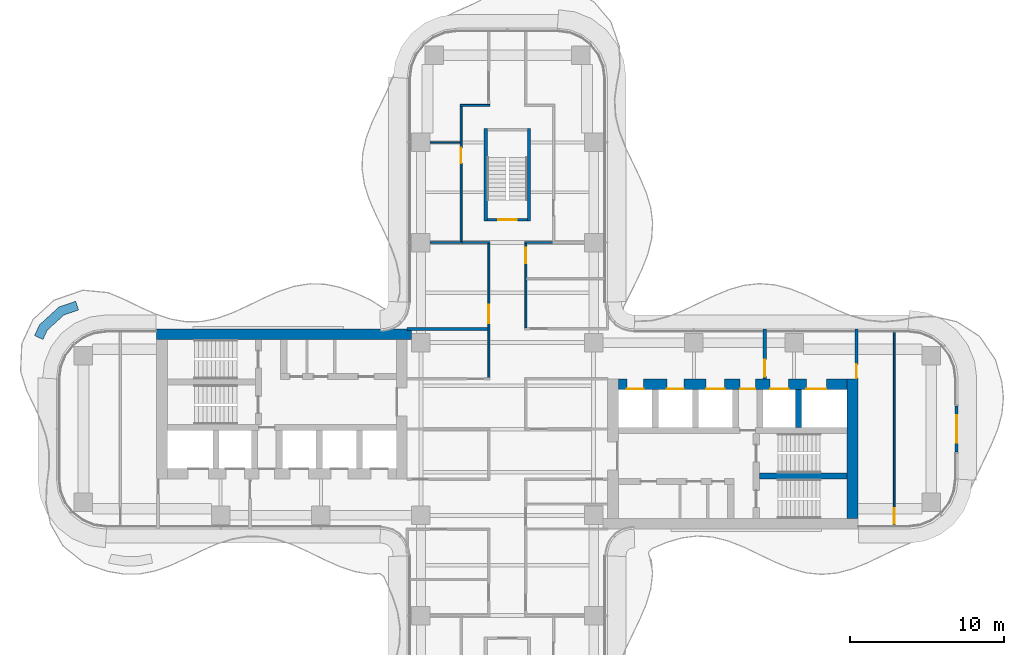
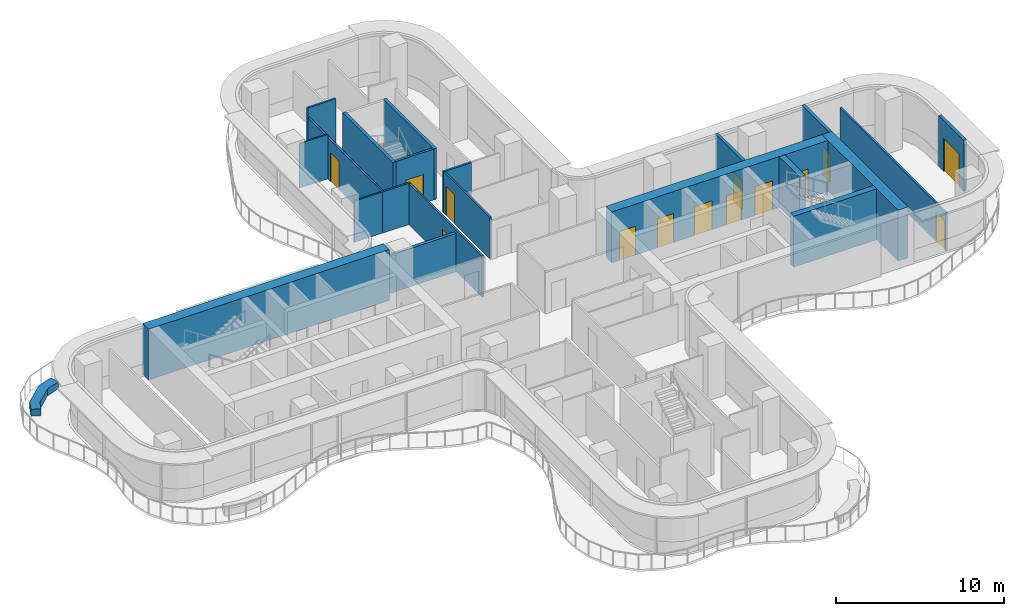
# One storey, part 14 of 17: 22 walls, 14 doors, 14 openings.
"""IFC4 building model written with IfcOpenShell, lengths in metres."""

from ifc_helpers import new_model, si_unit, direction, frame, frame_2d, origin, place, context, subcontext, project, spatial, polyline, rectangle, outline, extrude, source, transform, mapped, material, layer, layer_set, type_object, element, fill, save


model = new_model("IFC4")

# Units and contexts
model_context = context("Model", 3, precision=1e-05, world=origin(), true_north=direction((0.0, 1.0)))
body_context = subcontext(model_context, "Body", "Model", "MODEL_VIEW")
ifc_project = project(units=[si_unit("LENGTHUNIT", "METRE"), si_unit("AREAUNIT", "SQUARE_METRE"), si_unit("VOLUMEUNIT", "CUBIC_METRE"), si_unit("PLANEANGLEUNIT", "RADIAN"), si_unit("MASSUNIT", "GRAM", prefix="KILO")], contexts=[model_context])

# Site, building, storey
site_placement = place(None, origin())
site = spatial("IfcSite", under=ifc_project, at=site_placement, CompositionType="ELEMENT")
building_placement = place(site_placement, origin())
building = spatial("IfcBuilding", under=site, at=building_placement, Name="Trellis Farm Tower", CompositionType="ELEMENT")
storey_placement = place(building_placement, frame((0.0, 0.0, 181.5)))
storey = spatial("IfcBuildingStorey", under=building, at=storey_placement, Name="L39", CompositionType="ELEMENT", Elevation=181.5)

# Walls
ifc_material_1 = material(Name="Sandstone faced masonry planter", Category="masonry")
ifc_layer_1 = layer(ifc_material_1, 0.60009765625)
ifc_layer_set_1 = layer_set([ifc_layer_1], Name="PLANTER BED 600")
wall_type_1 = type_object("IfcWallType", Name="PLANTER BED 600", PredefinedType="USERDEFINED", material=ifc_layer_set_1)
wall_1_placement = place(storey_placement, origin())
element("IfcWall", 1, at=wall_1_placement, inside=storey, type_object=wall_type_1, Name="PLANTER bed", ObjectType="PLANTER", PredefinedType="USERDEFINED", context=body_context, shape_type="SweptSolid", body=[
    extrude(outline(polyline([(-29.080810546875, 7.9208984375), (-28.003662109375, 8.288330078125), (-27.809814453125, 7.720458984375), (-28.768798828125, 7.393310546875), (-29.854248046875, 6.402587890625), (-30.123291015625, 5.810302734375), (-30.669677734375, 6.05859375), (-30.349609375, 6.762939453125), (-29.080810546875, 7.9208984375)])), origin(), (0.0, 0.0, 1.0), 0.5),
])
ifc_material_2 = material(Name="Concrete C70/85", Category="concrete")
ifc_layer_2 = layer(ifc_material_2, 0.699951171875)
ifc_layer_set_2 = layer_set([ifc_layer_2], Name="CORE OUTER WALL 700 CONCRETE C70/85")
wall_type_2 = type_object("IfcWallType", Name="CORE OUTER WALL 700 CONCRETE C70/85", PredefinedType="SHEAR", material=ifc_layer_set_2)
shared_shape_1 = source(origin(), body_context, "Body", "SweptSolid", [
    extrude(rectangle(XDim=9.050048828125, YDim=0.699951171875, at=frame_2d((4.52490234375, 0.0))), origin(), (0.0, 0.0, 1.0), 3.699951171875),
])
wall_2_placement = place(storey_placement, frame((22.39990234375, -5.800048828125, 0.0), z_axis=(0.0, 0.0, 1.0), x_axis=(0.0, 1.0, 0.0)))
element("IfcWall", 2, at=wall_2_placement, inside=storey, type_object=wall_type_2, Name="Core wall", PredefinedType="SHEAR", context=body_context, shape_type="MappedRepresentation", body=[
    mapped(shared_shape_1, transform((0.0, 0.0, 0.0))),
])
ifc_layer_3 = layer(ifc_material_2, 0.39990234375)
ifc_layer_set_3 = layer_set([ifc_layer_3], Name="CORE INNER WALL 400 CONCRETE C70/85")
wall_type_3 = type_object("IfcWallType", Name="CORE INNER WALL 400 CONCRETE C70/85", PredefinedType="SHEAR", material=ifc_layer_set_3)
shared_shape_2 = source(origin(), body_context, "Body", "SweptSolid", [
    extrude(rectangle(XDim=2.449951171875, YDim=0.39990234375, at=frame_2d((1.22509765625, 0.0))), origin(), (0.0, 0.0, 1.0), 3.699951171875),
])
wall_3_placement = place(storey_placement, frame((18.89990234375, 0.10009765625, 0.0), z_axis=(0.0, 0.0, 1.0), x_axis=(0.0, 1.0, 0.0)))
element("IfcWall", 3, at=wall_3_placement, inside=storey, type_object=wall_type_3, Name="Core wall", PredefinedType="SHEAR", context=body_context, shape_type="MappedRepresentation", body=[
    mapped(shared_shape_2, transform((0.0, 0.0, 0.0))),
])

# Wall, opening, door
ifc_material_3 = material(Name="Masonry blockwork", Category="masonry")
ifc_layer_4 = layer(ifc_material_3, 0.199951171875)
ifc_layer_set_4 = layer_set([ifc_layer_4], Name="FIRE LOBBY PARTITION 200 BLOCKWORK")
wall_type_4 = type_object("IfcWallType", Name="FIRE LOBBY PARTITION 200 BLOCKWORK", PredefinedType="PARTITIONING", material=ifc_layer_set_4)
shared_shape_3 = source(origin(), body_context, "Body", "SweptSolid", [
    extrude(rectangle(XDim=3.25, YDim=0.199951171875, at=frame_2d((1.625, 0.0))), origin(), (0.0, 0.0, 1.0), 3.699951171875),
])
wall_4_placement = place(storey_placement, frame((16.699951171875, 3.25, 0.0), z_axis=(0.0, 0.0, 1.0), x_axis=(0.0, 1.0, 0.0)))
wall_4 = element("IfcWall", 4, at=wall_4_placement, inside=storey, type_object=wall_type_4, Name="Fire-fighting lobby partition", PredefinedType="PARTITIONING", context=body_context, shape_type="MappedRepresentation", body=[
    mapped(shared_shape_3, transform((0.0, 0.0, 0.0))),
])
shared_shape_4 = source(origin(), body_context, "Body", "SweptSolid", [
    extrude(rectangle(XDim=1.10009765625, YDim=2.10009765625, at=frame_2d((0.550048828125, 1.050048828125))), frame((0.0, 0.110107421875, 0.0), z_axis=(0.0, -1.0, 0.0), x_axis=(1.0, 0.0, 0.0)), (0.0, 0.0, 1.0), 0.22021484375),
])
opening_1_placement = place(wall_4_placement, frame((0.14990234375, 0.0, 0.0)))
opening_1 = element("IfcOpeningElement", 5, at=opening_1_placement, cuts=wall_4, Name="Opening DC7", PredefinedType="OPENING", context=body_context, shape_type="MappedRepresentation", body=[
    mapped(shared_shape_4, transform((0.0, 0.0, 0.0))),
])
ifc_material_4 = material(Name="Steel", Category="steel")
door_type_1 = type_object("IfcDoorType", Name="CORE FIRE DOOR 1100 X 2100", OperationType="NOTDEFINED", PredefinedType="DOOR", material=ifc_material_4)
shared_shape_5 = source(origin(), body_context, "Body", "SweptSolid", [
    extrude(rectangle(XDim=1.10009765625, YDim=2.10009765625, at=frame_2d((0.550048828125, 1.050048828125))), frame((0.0, 0.02490234375, 0.0), z_axis=(0.0, -1.0, 0.0), x_axis=(1.0, 0.0, 0.0)), (0.0, 0.0, 1.0), 0.050048828125),
])
door_1_placement = place(opening_1_placement, origin())
door_1 = element("IfcDoor", 6, at=door_1_placement, inside=storey, type_object=door_type_1, Name="Core door", OperationType="SINGLE_SWING_RIGHT", OverallHeight=2.10009765625, OverallWidth=1.10009765625, PredefinedType="DOOR", context=body_context, shape_type="MappedRepresentation", body=[
    mapped(shared_shape_5, transform((0.0, 0.0, 0.0))),
])
fill(opening_1, door_1)

wall_5_placement = place(storey_placement, frame((22.64990234375, 3.25, 0.0), z_axis=(0.0, 0.0, 1.0), x_axis=(0.0, 1.0, 0.0)))
wall_5 = element("IfcWall", 7, at=wall_5_placement, inside=storey, type_object=wall_type_4, Name="Fire-fighting lobby partition", PredefinedType="PARTITIONING", context=body_context, shape_type="MappedRepresentation", body=[
    mapped(shared_shape_3, transform((0.0, 0.0, 0.0))),
])
shared_shape_6 = source(origin(), body_context, "Body", "SweptSolid", [
    extrude(rectangle(XDim=0.89990234375, YDim=2.10009765625, at=frame_2d((0.449951171875, 1.050048828125))), frame((0.0, 0.110107421875, 0.0), z_axis=(0.0, -1.0, 0.0), x_axis=(1.0, 0.0, 0.0)), (0.0, 0.0, 1.0), 0.22021484375),
])
opening_2_placement = place(wall_5_placement, frame((0.050048828125, 0.0, 0.0)))
opening_2 = element("IfcOpeningElement", 8, at=opening_2_placement, cuts=wall_5, Name="Opening DC8", PredefinedType="OPENING", context=body_context, shape_type="MappedRepresentation", body=[
    mapped(shared_shape_6, transform((0.0, 0.0, 0.0))),
])
door_type_2 = type_object("IfcDoorType", Name="CORE FIRE DOOR 900 X 2100", OperationType="NOTDEFINED", PredefinedType="DOOR", material=ifc_material_4)
shared_shape_7 = source(origin(), body_context, "Body", "SweptSolid", [
    extrude(rectangle(XDim=0.89990234375, YDim=2.10009765625, at=frame_2d((0.449951171875, 1.050048828125))), frame((0.0, 0.02490234375, 0.0), z_axis=(0.0, -1.0, 0.0), x_axis=(1.0, 0.0, 0.0)), (0.0, 0.0, 1.0), 0.050048828125),
])
door_2_placement = place(opening_2_placement, origin())
door_2 = element("IfcDoor", 9, at=door_2_placement, inside=storey, type_object=door_type_2, Name="Core door", OperationType="SINGLE_SWING_RIGHT", OverallHeight=2.10009765625, OverallWidth=0.89990234375, PredefinedType="DOOR", context=body_context, shape_type="MappedRepresentation", body=[
    mapped(shared_shape_7, transform((0.0, 0.0, 0.0))),
])
fill(opening_2, door_2)

# Wall
shared_shape_8 = source(origin(), body_context, "Body", "SweptSolid", [
    extrude(rectangle(XDim=16.550048828125, YDim=0.699951171875, at=frame_2d((8.27490234375, 0.0))), origin(), (0.0, 0.0, 1.0), 3.699951171875),
])
wall_6_placement = place(storey_placement, frame((-6.199951171875, 6.14990234375, 0.0), z_axis=(0.0, 0.0, 1.0), x_axis=(-1.0, 0.0, 0.0)))
element("IfcWall", 10, at=wall_6_placement, inside=storey, type_object=wall_type_2, Name="Core wall", PredefinedType="SHEAR", context=body_context, shape_type="MappedRepresentation", body=[
    mapped(shared_shape_8, transform((0.0, 0.0, 0.0))),
])

# Wall, openings, doors
shared_shape_9 = source(origin(), body_context, "Body", "SweptSolid", [
    extrude(rectangle(XDim=14.85009765625, YDim=0.699951171875, at=frame_2d((7.425048828125, 0.0))), origin(), (0.0, 0.0, 1.0), 3.699951171875),
])
wall_7_placement = place(storey_placement, frame((7.199951171875, 2.89990234375, 0.0), z_axis=(0.0, 0.0, 1.0), x_axis=(1.0, 0.0, 0.0)))
wall_7 = element("IfcWall", 11, at=wall_7_placement, inside=storey, type_object=wall_type_2, Name="Core wall", PredefinedType="SHEAR", context=body_context, shape_type="MappedRepresentation", body=[
    mapped(shared_shape_9, transform((0.0, 0.0, 0.0))),
])
shared_shape_10 = source(origin(), body_context, "Body", "SweptSolid", [
    extrude(rectangle(XDim=1.10009765625, YDim=2.10009765625, at=frame_2d((0.550048828125, 1.050048828125))), frame((0.0, 0.360107421875, 0.0), z_axis=(0.0, -1.0, 0.0), x_axis=(1.0, 0.0, 0.0)), (0.0, 0.0, 1.0), 0.72021484375),
])
opening_3_placement = place(wall_7_placement, frame((0.550048828125, 0.0, 0.0)))
opening_3 = element("IfcOpeningElement", 12, at=opening_3_placement, cuts=wall_7, Name="Opening LD4", PredefinedType="OPENING", context=body_context, shape_type="MappedRepresentation", body=[
    mapped(shared_shape_10, transform((0.0, 0.0, 0.0))),
])
opening_4_placement = place(wall_7_placement, frame((3.14990234375, 0.0, 0.0)))
opening_4 = element("IfcOpeningElement", 13, at=opening_4_placement, cuts=wall_7, Name="Opening LD5", PredefinedType="OPENING", context=body_context, shape_type="MappedRepresentation", body=[
    mapped(shared_shape_10, transform((0.0, 0.0, 0.0))),
])
shared_shape_11 = source(origin(), body_context, "Body", "SweptSolid", [
    extrude(rectangle(XDim=1.199951171875, YDim=2.10009765625, at=frame_2d((0.60009765625, 1.050048828125))), frame((0.0, 0.360107421875, 0.0), z_axis=(0.0, -1.0, 0.0), x_axis=(1.0, 0.0, 0.0)), (0.0, 0.0, 1.0), 0.72021484375),
])
opening_5_placement = place(wall_7_placement, frame((5.699951171875, 0.0, 0.0)))
opening_5 = element("IfcOpeningElement", 14, at=opening_5_placement, cuts=wall_7, Name="Opening LD6", PredefinedType="OPENING", context=body_context, shape_type="MappedRepresentation", body=[
    mapped(shared_shape_11, transform((0.0, 0.0, 0.0))),
])
shared_shape_12 = source(origin(), body_context, "Body", "SweptSolid", [
    extrude(rectangle(XDim=1.300048828125, YDim=2.10009765625, at=frame_2d((0.64990234375, 1.050048828125))), frame((0.0, 0.360107421875, 0.0), z_axis=(0.0, -1.0, 0.0), x_axis=(1.0, 0.0, 0.0)), (0.0, 0.0, 1.0), 0.72021484375),
])
opening_6_placement = place(wall_7_placement, frame((12.199951171875, 0.0, 0.0)))
opening_6 = element("IfcOpeningElement", 15, at=opening_6_placement, cuts=wall_7, Name="Opening LD7", PredefinedType="OPENING", context=body_context, shape_type="MappedRepresentation", body=[
    mapped(shared_shape_12, transform((0.0, 0.0, 0.0))),
])
opening_7_placement = place(wall_7_placement, frame((9.85009765625, 0.0, 0.0)))
opening_7 = element("IfcOpeningElement", 16, at=opening_7_placement, cuts=wall_7, Name="Opening LD8", PredefinedType="OPENING", context=body_context, shape_type="MappedRepresentation", body=[
    mapped(shared_shape_11, transform((0.0, 0.0, 0.0))),
])
shared_shape_13 = source(origin(), body_context, "Body", "SweptSolid", [
    extrude(rectangle(XDim=1.0, YDim=2.10009765625, at=frame_2d((0.5, 1.050048828125))), frame((0.0, 0.360107421875, 0.0), z_axis=(0.0, -1.0, 0.0), x_axis=(1.0, 0.0, 0.0)), (0.0, 0.0, 1.0), 0.72021484375),
])
opening_8_placement = place(wall_7_placement, frame((7.89990234375, 0.0, 0.0)))
opening_8 = element("IfcOpeningElement", 17, at=opening_8_placement, cuts=wall_7, Name="Opening DC6", PredefinedType="OPENING", context=body_context, shape_type="MappedRepresentation", body=[
    mapped(shared_shape_13, transform((0.0, 0.0, 0.0))),
])
door_type_3 = type_object("IfcDoorType", Name="CORE FIRE DOOR 1000 X 2100", OperationType="NOTDEFINED", PredefinedType="DOOR", material=ifc_material_4)
shared_shape_14 = source(origin(), body_context, "Body", "SweptSolid", [
    extrude(rectangle(XDim=1.0, YDim=2.10009765625, at=frame_2d((0.5, 1.050048828125))), frame((0.0, -0.27490234375, 0.0), z_axis=(0.0, -1.0, 0.0), x_axis=(1.0, 0.0, 0.0)), (0.0, 0.0, 1.0), 0.050048828125),
])
door_3_placement = place(opening_8_placement, origin())
door_3 = element("IfcDoor", 18, at=door_3_placement, inside=storey, type_object=door_type_3, Name="Core door", OperationType="SINGLE_SWING_LEFT", OverallHeight=2.10009765625, OverallWidth=1.0, PredefinedType="DOOR", context=body_context, shape_type="MappedRepresentation", body=[
    mapped(shared_shape_14, transform((0.0, 0.0, 0.0))),
])
fill(opening_8, door_3)
ifc_material_5 = material(Name="Stainless steel", Category="steel")
door_type_4 = type_object("IfcDoorType", Name="LIFT LANDING DOOR 1300 X 2100", OperationType="DOUBLE_DOOR_SLIDING", PredefinedType="DOOR", material=ifc_material_5)
shared_shape_15 = source(origin(), body_context, "Body", "SweptSolid", [
    extrude(rectangle(XDim=1.300048828125, YDim=2.10009765625, at=frame_2d((0.64990234375, 1.050048828125))), frame((0.0, -0.27490234375, 0.0), z_axis=(0.0, -1.0, 0.0), x_axis=(1.0, 0.0, 0.0)), (0.0, 0.0, 1.0), 0.050048828125),
])
door_4_placement = place(opening_6_placement, origin())
door_4 = element("IfcDoor", 19, at=door_4_placement, inside=storey, type_object=door_type_4, Name="Lift landing door", OperationType="DOUBLE_DOOR_SLIDING", OverallHeight=2.10009765625, OverallWidth=1.300048828125, PredefinedType="DOOR", context=body_context, shape_type="MappedRepresentation", body=[
    mapped(shared_shape_15, transform((0.0, 0.0, 0.0))),
])
fill(opening_6, door_4)
door_type_5 = type_object("IfcDoorType", Name="LIFT LANDING DOOR 1200 X 2100", OperationType="DOUBLE_DOOR_SLIDING", PredefinedType="DOOR", material=ifc_material_5)
shared_shape_16 = source(origin(), body_context, "Body", "SweptSolid", [
    extrude(rectangle(XDim=1.199951171875, YDim=2.10009765625, at=frame_2d((0.60009765625, 1.050048828125))), frame((0.0, -0.27490234375, 0.0), z_axis=(0.0, -1.0, 0.0), x_axis=(1.0, 0.0, 0.0)), (0.0, 0.0, 1.0), 0.050048828125),
])
door_5_placement = place(opening_5_placement, origin())
door_5 = element("IfcDoor", 20, at=door_5_placement, inside=storey, type_object=door_type_5, Name="Lift landing door", OperationType="DOUBLE_DOOR_SLIDING", OverallHeight=2.10009765625, OverallWidth=1.199951171875, PredefinedType="DOOR", context=body_context, shape_type="MappedRepresentation", body=[
    mapped(shared_shape_16, transform((0.0, 0.0, 0.0))),
])
fill(opening_5, door_5)
door_6_placement = place(opening_7_placement, origin())
door_6 = element("IfcDoor", 21, at=door_6_placement, inside=storey, type_object=door_type_5, Name="Lift landing door", OperationType="DOUBLE_DOOR_SLIDING", OverallHeight=2.10009765625, OverallWidth=1.199951171875, PredefinedType="DOOR", context=body_context, shape_type="MappedRepresentation", body=[
    mapped(shared_shape_16, transform((0.0, 0.0, 0.0))),
])
fill(opening_7, door_6)
door_type_6 = type_object("IfcDoorType", Name="LIFT LANDING DOOR 1100 X 2100", OperationType="DOUBLE_DOOR_SLIDING", PredefinedType="DOOR", material=ifc_material_5)
shared_shape_17 = source(origin(), body_context, "Body", "SweptSolid", [
    extrude(rectangle(XDim=1.10009765625, YDim=2.10009765625, at=frame_2d((0.550048828125, 1.050048828125))), frame((0.0, -0.27490234375, 0.0), z_axis=(0.0, -1.0, 0.0), x_axis=(1.0, 0.0, 0.0)), (0.0, 0.0, 1.0), 0.050048828125),
])
door_7_placement = place(opening_3_placement, origin())
door_7 = element("IfcDoor", 22, at=door_7_placement, inside=storey, type_object=door_type_6, Name="Lift landing door", OperationType="DOUBLE_DOOR_SLIDING", OverallHeight=2.10009765625, OverallWidth=1.10009765625, PredefinedType="DOOR", context=body_context, shape_type="MappedRepresentation", body=[
    mapped(shared_shape_17, transform((0.0, 0.0, 0.0))),
])
fill(opening_3, door_7)
door_8_placement = place(opening_4_placement, origin())
door_8 = element("IfcDoor", 23, at=door_8_placement, inside=storey, type_object=door_type_6, Name="Lift landing door", OperationType="DOUBLE_DOOR_SLIDING", OverallHeight=2.10009765625, OverallWidth=1.10009765625, PredefinedType="DOOR", context=body_context, shape_type="MappedRepresentation", body=[
    mapped(shared_shape_17, transform((0.0, 0.0, 0.0))),
])
fill(opening_4, door_8)

# Walls
shared_shape_18 = source(origin(), body_context, "Body", "SweptSolid", [
    extrude(rectangle(XDim=5.699951171875, YDim=0.39990234375, at=frame_2d((2.85009765625, 0.0))), origin(), (0.0, 0.0, 1.0), 3.699951171875),
])
wall_8_placement = place(storey_placement, frame((16.35009765625, -3.050048828125, 0.0), z_axis=(0.0, 0.0, 1.0), x_axis=(1.0, 0.0, 0.0)))
element("IfcWall", 24, at=wall_8_placement, inside=storey, type_object=wall_type_3, Name="Core wall", PredefinedType="SHEAR", context=body_context, shape_type="MappedRepresentation", body=[
    mapped(shared_shape_18, transform((0.0, 0.0, 0.0))),
])
ifc_layer_5 = layer(ifc_material_2, 0.199951171875)
ifc_layer_set_5 = layer_set([ifc_layer_5], Name="CORE STAIR ENCLOSURE WALL 200 CONCRETE C70/85")
wall_type_5 = type_object("IfcWallType", Name="CORE STAIR ENCLOSURE WALL 200 CONCRETE C70/85", PredefinedType="SHEAR", material=ifc_layer_set_5)
shared_shape_19 = source(origin(), body_context, "Body", "SweptSolid", [
    extrude(rectangle(XDim=6.0, YDim=0.199951171875, at=frame_2d((3.0, 0.0))), origin(), (0.0, 0.0, 1.0), 3.699951171875),
])
for number, where, z_axis, x_axis, name in (
    (25, (-1.39990234375, 13.5, 0.0), (0.0, 0.0, 1.0), (0.0, 1.0, 0.0), "Stair enclosure wall"),
    (26, (1.39990234375, 13.5, 0.0), (0.0, 0.0, 1.0), (0.0, 1.0, 0.0), "Stair enclosure wall"),
):
    element("IfcWall", number, at=place(storey_placement, frame(where, z_axis=z_axis, x_axis=x_axis)), inside=storey, type_object=wall_type_5, Name=name, PredefinedType="SHEAR", context=body_context, shape_type="MappedRepresentation", body=[
        mapped(shared_shape_19, transform((0.0, 0.0, 0.0))),
    ])

# Wall, opening, door
ifc_layer_6 = layer(ifc_material_2, 0.14990234375)
ifc_layer_set_6 = layer_set([ifc_layer_6], Name="CORE STAIR ENCLOSURE WALL 150 CONCRETE C70/85")
wall_type_6 = type_object("IfcWallType", Name="CORE STAIR ENCLOSURE WALL 150 CONCRETE C70/85", PredefinedType="SHEAR", material=ifc_layer_set_6)
shared_shape_20 = source(origin(), body_context, "Body", "SweptSolid", [
    extrude(rectangle(XDim=2.60009765625, YDim=0.14990234375, at=frame_2d((1.300048828125, 0.0))), origin(), (0.0, 0.0, 1.0), 3.699951171875),
])
wall_9_placement = place(storey_placement, frame((-1.300048828125, 13.574951171875, 0.0), z_axis=(0.0, 0.0, 1.0), x_axis=(1.0, 0.0, 0.0)))
wall_9 = element("IfcWall", 27, at=wall_9_placement, inside=storey, type_object=wall_type_6, Name="Stair enclosure wall", PredefinedType="SHEAR", context=body_context, shape_type="MappedRepresentation", body=[
    mapped(shared_shape_20, transform((0.0, 0.0, 0.0))),
])
shared_shape_21 = source(origin(), body_context, "Body", "SweptSolid", [
    extrude(rectangle(XDim=1.199951171875, YDim=2.10009765625, at=frame_2d((0.60009765625, 1.050048828125))), frame((0.0, 0.0849609375, 0.0), z_axis=(0.0, -1.0, 0.0), x_axis=(1.0, 0.0, 0.0)), (0.0, 0.0, 1.0), 0.169921875),
])
opening_9_placement = place(wall_9_placement, frame((0.699951171875, 0.0, 0.0)))
opening_9 = element("IfcOpeningElement", 28, at=opening_9_placement, cuts=wall_9, Name="Opening DC173", PredefinedType="OPENING", context=body_context, shape_type="MappedRepresentation", body=[
    mapped(shared_shape_21, transform((0.0, 0.0, 0.0))),
])
door_type_7 = type_object("IfcDoorType", Name="CORE FIRE DOOR 1200 X 2100", OperationType="NOTDEFINED", PredefinedType="DOOR", material=ifc_material_4)
shared_shape_22 = source(origin(), body_context, "Body", "SweptSolid", [
    extrude(rectangle(XDim=1.199951171875, YDim=2.10009765625, at=frame_2d((0.60009765625, 1.050048828125))), frame((0.0, 0.02490234375, 0.0), z_axis=(0.0, -1.0, 0.0), x_axis=(1.0, 0.0, 0.0)), (0.0, 0.0, 1.0), 0.050048828125),
])
door_9_placement = place(opening_9_placement, origin())
door_9 = element("IfcDoor", 29, at=door_9_placement, inside=storey, type_object=door_type_7, Name="Core door", OperationType="SINGLE_SWING_LEFT", OverallHeight=2.10009765625, OverallWidth=1.199951171875, PredefinedType="DOOR", context=body_context, shape_type="MappedRepresentation", body=[
    mapped(shared_shape_22, transform((0.0, 0.0, 0.0))),
])
fill(opening_9, door_9)

ifc_material_6 = material(Name="Sandstone faced insulated wall", Category="masonry")
ifc_layer_7 = layer(ifc_material_6, 0.199951171875)
ifc_layer_set_7 = layer_set([ifc_layer_7], Name="EXTERNAL INFILL WALL 200")
wall_type_7 = type_object("IfcWallType", Name="EXTERNAL INFILL WALL 200", PredefinedType="SOLIDWALL", material=ifc_layer_set_7)
shared_shape_23 = source(origin(), body_context, "Body", "SweptSolid", [
    extrude(rectangle(XDim=3.0, YDim=0.199951171875, at=frame_2d((1.5, 0.0))), origin(), (0.0, 0.0, 1.0), 3.699951171875),
])
wall_10_placement = place(storey_placement, frame((29.14990234375, -1.5, 0.0), z_axis=(0.0, 0.0, 1.0), x_axis=(0.0, 1.0, 0.0)))
wall_10 = element("IfcWall", 30, at=wall_10_placement, inside=storey, type_object=wall_type_7, Name="EW1 01", PredefinedType="SOLIDWALL", context=body_context, shape_type="MappedRepresentation", body=[
    mapped(shared_shape_23, transform((0.0, 0.0, 0.0))),
])
shared_shape_24 = source(origin(), body_context, "Body", "SweptSolid", [
    extrude(rectangle(XDim=1.800048828125, YDim=2.39990234375, at=frame_2d((0.89990234375, 1.199951171875))), frame((0.0, 0.110107421875, 0.0), z_axis=(0.0, -1.0, 0.0), x_axis=(1.0, 0.0, 0.0)), (0.0, 0.0, 1.0), 0.22021484375),
])
opening_10_placement = place(wall_10_placement, frame((0.60009765625, 0.0, 0.0)))
opening_10 = element("IfcOpeningElement", 31, at=opening_10_placement, cuts=wall_10, Name="Opening ED1", PredefinedType="OPENING", context=body_context, shape_type="MappedRepresentation", body=[
    mapped(shared_shape_24, transform((0.0, 0.0, 0.0))),
])
ifc_material_7 = material(Name="Aluminium framed glazed door", Category="aluminium")
door_type_8 = type_object("IfcDoorType", Name="BALCONY DOOR 1800x2400", OperationType="DOUBLE_DOOR_SINGLE_SWING", PredefinedType="DOOR", material=ifc_material_7)
shared_shape_25 = source(origin(), body_context, "Body", "SweptSolid", [
    extrude(rectangle(XDim=1.800048828125, YDim=2.39990234375, at=frame_2d((0.89990234375, 1.199951171875))), frame((0.0, 0.02490234375, 0.0), z_axis=(0.0, -1.0, 0.0), x_axis=(1.0, 0.0, 0.0)), (0.0, 0.0, 1.0), 0.050048828125),
])
door_10_placement = place(opening_10_placement, origin())
door_10 = element("IfcDoor", 32, at=door_10_placement, inside=storey, type_object=door_type_8, Name="Balcony door", OperationType="DOUBLE_DOOR_SINGLE_SWING", OverallHeight=2.39990234375, OverallWidth=1.800048828125, PredefinedType="DOOR", context=body_context, shape_type="MappedRepresentation", body=[
    mapped(shared_shape_25, transform((0.0, 0.0, 0.0))),
])
fill(opening_10, door_10)

ifc_material_8 = material(Name="Plasterboard on steel studs, mineral wool", Category="steel")
ifc_layer_8 = layer(ifc_material_8, 0.125)
ifc_layer_set_8 = layer_set([ifc_layer_8], Name="PARTITION 125 STUD EI 60")
wall_type_8 = type_object("IfcWallType", Name="PARTITION 125 STUD EI 60", PredefinedType="PARTITIONING", material=ifc_layer_set_8)
shared_shape_26 = source(origin(), body_context, "Body", "SweptSolid", [
    extrude(rectangle(XDim=5.47509765625, YDim=0.125, at=frame_2d((2.737548828125, 0.0))), origin(), (0.0, 0.0, 1.0), 2.99658203125),
])
wall_11_placement = place(storey_placement, frame((1.199951171875, 12.03759765625, 0.0), z_axis=(0.0, 0.0, 1.0), x_axis=(0.0, -1.0, 0.0)))
wall_11 = element("IfcWall", 33, at=wall_11_placement, inside=storey, type_object=wall_type_8, Name="Partition PW1", PredefinedType="PARTITIONING", context=body_context, shape_type="MappedRepresentation", body=[
    mapped(shared_shape_26, transform((0.0, 0.0, 0.0))),
])
shared_shape_27 = source(origin(), body_context, "Body", "SweptSolid", [
    extrude(rectangle(XDim=1.0, YDim=2.10009765625, at=frame_2d((0.5, 1.050048828125))), frame((0.0, 0.072509765625, 0.0), z_axis=(0.0, -1.0, 0.0), x_axis=(1.0, 0.0, 0.0)), (0.0, 0.0, 1.0), 0.14501953125),
])
opening_11_placement = place(wall_11_placement, frame((0.28759765625, 0.0, 0.0)))
opening_11 = element("IfcOpeningElement", 34, at=opening_11_placement, cuts=wall_11, Name="Opening D113", PredefinedType="OPENING", context=body_context, shape_type="MappedRepresentation", body=[
    mapped(shared_shape_27, transform((0.0, 0.0, 0.0))),
])
ifc_material_9 = material(Name="Fire-rated timber door leaf in a hollow metal frame", Category="wood")
door_type_9 = type_object("IfcDoorType", Name="DOOR 1000x2100 FD30S", OperationType="NOTDEFINED", PredefinedType="DOOR", material=ifc_material_9)
shared_shape_28 = source(origin(), body_context, "Body", "SweptSolid", [
    extrude(rectangle(XDim=1.0, YDim=2.10009765625, at=frame_2d((0.5, 1.050048828125))), frame((0.0, 0.02490234375, 0.0), z_axis=(0.0, -1.0, 0.0), x_axis=(1.0, 0.0, 0.0)), (0.0, 0.0, 1.0), 0.050048828125),
])
door_11_placement = place(opening_11_placement, origin())
door_11 = element("IfcDoor", 35, at=door_11_placement, inside=storey, type_object=door_type_9, Name="Door D113", OperationType="SINGLE_SWING_LEFT", OverallHeight=2.10009765625, OverallWidth=1.0, PredefinedType="DOOR", context=body_context, shape_type="MappedRepresentation", body=[
    mapped(shared_shape_28, transform((0.0, 0.0, 0.0))),
])
fill(opening_11, door_11)

shared_shape_29 = source(origin(), body_context, "Body", "SweptSolid", [
    extrude(rectangle(XDim=12.60009765625, YDim=0.125, at=frame_2d((6.300048828125, 0.0))), origin(), (0.0, 0.0, 1.0), 2.780029296875),
])
wall_12_placement = place(storey_placement, frame((25.10009765625, 6.300048828125, 0.0), z_axis=(0.0, 0.0, 1.0), x_axis=(0.0, -1.0, 0.0)))
wall_12 = element("IfcWall", 36, at=wall_12_placement, inside=storey, type_object=wall_type_8, Name="Partition PW1", PredefinedType="PARTITIONING", context=body_context, shape_type="MappedRepresentation", body=[
    mapped(shared_shape_29, transform((0.0, 0.0, 0.0))),
])
opening_12_placement = place(wall_12_placement, frame((11.449951171875, 0.0, 0.0)))
opening_12 = element("IfcOpeningElement", 37, at=opening_12_placement, cuts=wall_12, Name="Opening D108", PredefinedType="OPENING", context=body_context, shape_type="MappedRepresentation", body=[
    mapped(shared_shape_27, transform((0.0, 0.0, 0.0))),
])
door_12_placement = place(opening_12_placement, origin())
door_12 = element("IfcDoor", 38, at=door_12_placement, inside=storey, type_object=door_type_9, Name="Door D108", OperationType="SINGLE_SWING_RIGHT", OverallHeight=2.10009765625, OverallWidth=1.0, PredefinedType="DOOR", context=body_context, shape_type="MappedRepresentation", body=[
    mapped(shared_shape_28, transform((0.0, 0.0, 0.0))),
])
fill(opening_12, door_12)

# Wall
ifc_material_10 = material(Name="Plasterboard on steel studs", Category="steel")
ifc_layer_9 = layer(ifc_material_10, 0.10009765625)
ifc_layer_set_9 = layer_set([ifc_layer_9], Name="PARTITION 100 STUD EI 30")
wall_type_9 = type_object("IfcWallType", Name="PARTITION 100 STUD EI 30", PredefinedType="PARTITIONING", material=ifc_layer_set_9)
shared_shape_30 = source(origin(), body_context, "Body", "SweptSolid", [
    extrude(rectangle(XDim=2.0625, YDim=0.10009765625, at=frame_2d((1.03125, 0.0))), origin(), (0.0, 0.0, 1.0), 2.99658203125),
])
wall_13_placement = place(storey_placement, frame((-5.0, 12.10009765625, 0.0), z_axis=(0.0, 0.0, 1.0), x_axis=(1.0, 0.0, 0.0)))
element("IfcWall", 39, at=wall_13_placement, inside=storey, type_object=wall_type_9, Name="Partition PW2", PredefinedType="PARTITIONING", context=body_context, shape_type="MappedRepresentation", body=[
    mapped(shared_shape_30, transform((0.0, 0.0, 0.0))),
])

# Wall, opening, door
shared_shape_31 = source(origin(), body_context, "Body", "SweptSolid", [
    extrude(rectangle(XDim=8.78759765625, YDim=0.125, at=frame_2d((4.393798828125, 0.0))), origin(), (0.0, 0.0, 1.0), 2.99658203125),
])
wall_14_placement = place(storey_placement, frame((-3.0, 12.14990234375, 0.0), z_axis=(0.0, 0.0, 1.0), x_axis=(0.0, 1.0, 0.0)))
wall_14 = element("IfcWall", 40, at=wall_14_placement, inside=storey, type_object=wall_type_8, Name="Partition PW1", PredefinedType="PARTITIONING", context=body_context, shape_type="MappedRepresentation", body=[
    mapped(shared_shape_31, transform((0.0, 0.0, 0.0))),
])
opening_13_placement = place(wall_14_placement, frame((5.10009765625, 0.0, 0.0)))
opening_13 = element("IfcOpeningElement", 41, at=opening_13_placement, cuts=wall_14, Name="Opening D115", PredefinedType="OPENING", context=body_context, shape_type="MappedRepresentation", body=[
    mapped(shared_shape_27, transform((0.0, 0.0, 0.0))),
])
door_13_placement = place(opening_13_placement, origin())
door_13 = element("IfcDoor", 42, at=door_13_placement, inside=storey, type_object=door_type_9, Name="Door D115", OperationType="SINGLE_SWING_RIGHT", OverallHeight=2.10009765625, OverallWidth=1.0, PredefinedType="DOOR", context=body_context, shape_type="MappedRepresentation", body=[
    mapped(shared_shape_28, transform((0.0, 0.0, 0.0))),
])
fill(opening_13, door_13)

shared_shape_32 = source(origin(), body_context, "Body", "SweptSolid", [
    extrude(rectangle(XDim=8.72509765625, YDim=0.125, at=frame_2d((4.362548828125, 0.0))), origin(), (0.0, 0.0, 1.0), 2.99658203125),
])
wall_15_placement = place(storey_placement, frame((-1.199951171875, 12.03759765625, 0.0), z_axis=(0.0, 0.0, 1.0), x_axis=(0.0, -1.0, 0.0)))
wall_15 = element("IfcWall", 43, at=wall_15_placement, inside=storey, type_object=wall_type_8, Name="Partition PW1", PredefinedType="PARTITIONING", context=body_context, shape_type="MappedRepresentation", body=[
    mapped(shared_shape_32, transform((0.0, 0.0, 0.0))),
])
shared_shape_33 = source(origin(), body_context, "Body", "SweptSolid", [
    extrude(rectangle(XDim=1.199951171875, YDim=2.10009765625, at=frame_2d((0.60009765625, 1.050048828125))), frame((0.0, 0.072509765625, 0.0), z_axis=(0.0, -1.0, 0.0), x_axis=(1.0, 0.0, 0.0)), (0.0, 0.0, 1.0), 0.14501953125),
])
opening_14_placement = place(wall_15_placement, frame((3.987548828125, 0.0, 0.0)))
opening_14 = element("IfcOpeningElement", 44, at=opening_14_placement, cuts=wall_15, Name="Opening D601", PredefinedType="OPENING", context=body_context, shape_type="MappedRepresentation", body=[
    mapped(shared_shape_33, transform((0.0, 0.0, 0.0))),
])
door_type_10 = type_object("IfcDoorType", Name="DOOR 1200x2100 FD30S", OperationType="NOTDEFINED", PredefinedType="DOOR", material=ifc_material_9)
door_14_placement = place(opening_14_placement, origin())
door_14 = element("IfcDoor", 45, at=door_14_placement, inside=storey, type_object=door_type_10, Name="Door D601", OperationType="SINGLE_SWING_RIGHT", OverallHeight=2.10009765625, OverallWidth=1.199951171875, PredefinedType="DOOR", context=body_context, shape_type="MappedRepresentation", body=[
    mapped(shared_shape_22, transform((0.0, 0.0, 0.0))),
])
fill(opening_14, door_14)

# Walls
shared_shape_34 = source(origin(), body_context, "Body", "SweptSolid", [
    extrude(rectangle(XDim=1.925048828125, YDim=0.125, at=frame_2d((0.96240234375, 0.0))), origin(), (0.0, 0.0, 1.0), 3.699951171875),
])
wall_16_placement = place(storey_placement, frame((-3.0625, 21.0, 0.0), z_axis=(0.0, 0.0, 1.0), x_axis=(1.0, 0.0, 0.0)))
element("IfcWall", 46, at=wall_16_placement, inside=storey, type_object=wall_type_8, Name="Partition PW1", PredefinedType="PARTITIONING", context=body_context, shape_type="MappedRepresentation", body=[
    mapped(shared_shape_34, transform((0.0, 0.0, 0.0))),
])
shared_shape_35 = source(origin(), body_context, "Body", "SweptSolid", [
    extrude(rectangle(XDim=1.925048828125, YDim=0.125, at=frame_2d((0.96240234375, 0.0))), origin(), (0.0, 0.0, 1.0), 2.99658203125),
])
for number, where, z_axis, x_axis, name in (
    (47, (-1.137451171875, 12.10009765625, 0.0), (0.0, 0.0, 1.0), (-1.0, 0.0, 0.0), "Partition PW1"),
    (48, (3.0625, 12.10009765625, 0.0), (0.0, 0.0, 1.0), (-1.0, 0.0, 0.0), "Partition PW1"),
):
    element("IfcWall", number, at=place(storey_placement, frame(where, z_axis=z_axis, x_axis=x_axis)), inside=storey, type_object=wall_type_8, Name=name, PredefinedType="PARTITIONING", context=body_context, shape_type="MappedRepresentation", body=[
        mapped(shared_shape_35, transform((0.0, 0.0, 0.0))),
    ])
shared_shape_36 = source(origin(), body_context, "Body", "SweptSolid", [
    extrude(rectangle(XDim=1.9375, YDim=0.10009765625, at=frame_2d((0.96875, 0.0))), origin(), (0.0, 0.0, 1.0), 3.222900390625),
])
wall_17_placement = place(storey_placement, frame((-5.0, 18.60009765625, 0.0), z_axis=(0.0, 0.0, 1.0), x_axis=(1.0, 0.0, 0.0)))
element("IfcWall", 49, at=wall_17_placement, inside=storey, type_object=wall_type_9, Name="Partition PW2", PredefinedType="PARTITIONING", context=body_context, shape_type="MappedRepresentation", body=[
    mapped(shared_shape_36, transform((0.0, 0.0, 0.0))),
])
ifc_material_11 = material(Name="Lightweight blockwork, plastered", Category="masonry")
ifc_layer_10 = layer(ifc_material_11, 0.199951171875)
ifc_layer_set_10 = layer_set([ifc_layer_10], Name="BLOCK WALL 200 EI 120")
wall_type_10 = type_object("IfcWallType", Name="BLOCK WALL 200 EI 120", PredefinedType="PARTITIONING", material=ifc_layer_set_10)
shared_shape_37 = source(origin(), body_context, "Body", "SweptSolid", [
    extrude(rectangle(XDim=5.237548828125, YDim=0.199951171875, at=frame_2d((2.61865234375, 0.0))), origin(), (0.0, 0.0, 1.0), 2.780029296875),
])
wall_18_placement = place(storey_placement, frame((-6.5, 6.5, 0.0), z_axis=(0.0, 0.0, 1.0), x_axis=(1.0, 0.0, 0.0)))
element("IfcWall", 50, at=wall_18_placement, inside=storey, type_object=wall_type_10, Name="Partition PW3", PredefinedType="PARTITIONING", context=body_context, shape_type="MappedRepresentation", body=[
    mapped(shared_shape_37, transform((0.0, 0.0, 0.0))),
])

save(model, "model.ifc")
